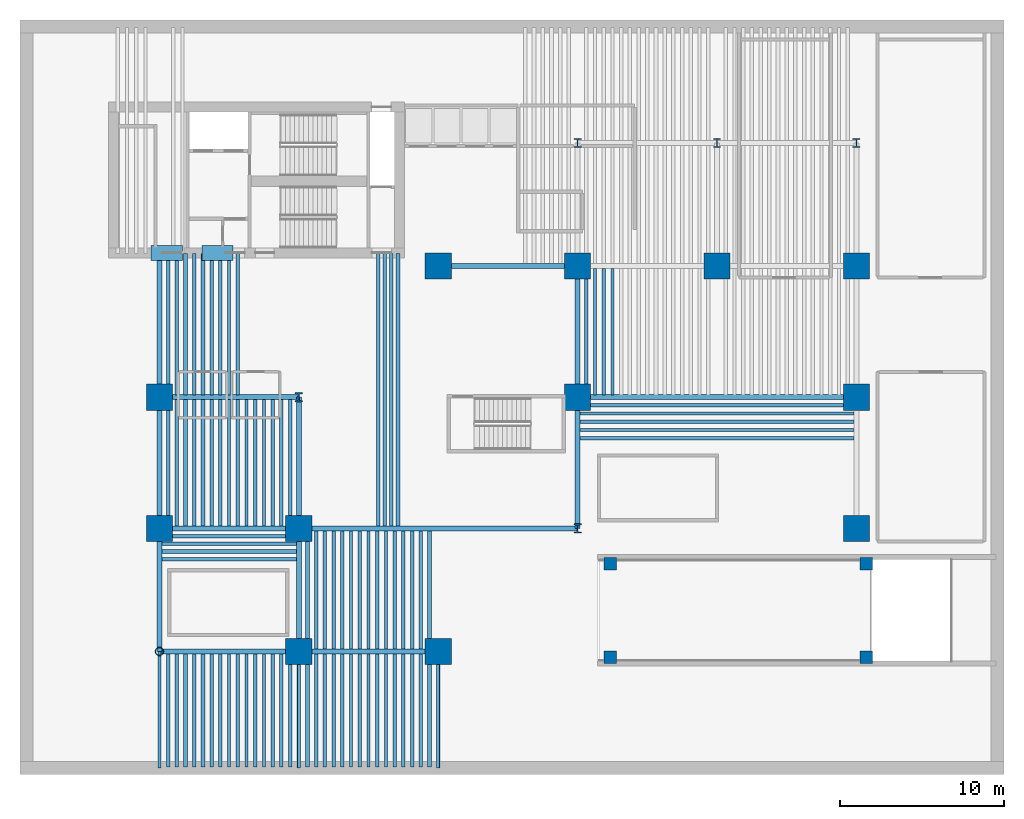
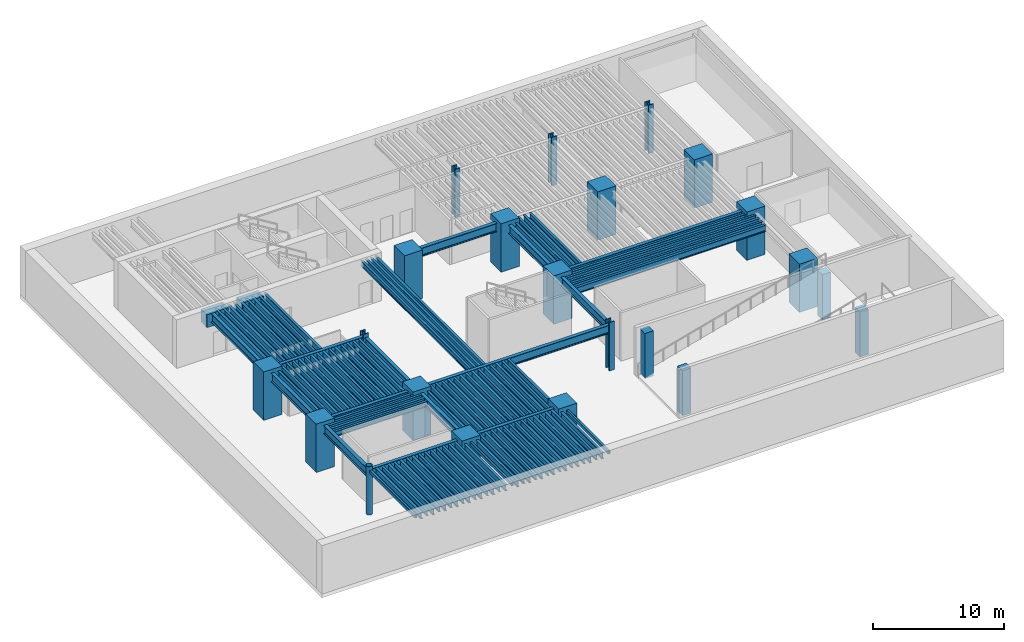
# One storey, part 1 of 10: 105 beams, 22 columns.
"""IFC4 building model written with IfcOpenShell, lengths in metres."""

from ifc_helpers import new_model, si_unit, direction, frame, origin, origin_2d, place, context, subcontext, project, spatial, rectangle, hollow_rectangle, hollow_circle, i_section, extrude, material, material_profile, profile_set, type_object, element, save


model = new_model("IFC4")

# Units and contexts
model_context = context("Model", 3, precision=1e-05, world=origin(), true_north=direction((0.0, 1.0)))
body_context = subcontext(model_context, "Body", "Model", "MODEL_VIEW")
ifc_project = project(units=[si_unit("LENGTHUNIT", "METRE"), si_unit("AREAUNIT", "SQUARE_METRE"), si_unit("VOLUMEUNIT", "CUBIC_METRE"), si_unit("PLANEANGLEUNIT", "RADIAN"), si_unit("MASSUNIT", "GRAM", prefix="KILO")], contexts=[model_context])

# Site, building, storey
site_placement = place(None, origin())
site = spatial("IfcSite", under=ifc_project, at=site_placement, CompositionType="ELEMENT")
building_placement = place(site_placement, origin())
building = spatial("IfcBuilding", under=site, at=building_placement, Name="Caeloran Harvest Quay", CompositionType="ELEMENT")
storey_placement = place(building_placement, frame((0.0, 0.0, -4.5)))
storey = spatial("IfcBuildingStorey", under=building, at=storey_placement, Name="B01", CompositionType="ELEMENT", Elevation=-4.5)

# Columns
ifc_material_1 = material(Name="Steel HISTAR 460", Category="steel")
ifc_material_profile_1 = material_profile(ifc_material_1, hollow_circle(Radius=0.25390625, WallThickness=0.02490234375, at=origin_2d()), Name="CHS 508x25")
ifc_profile_set_1 = profile_set([ifc_material_profile_1], Name="Steel HISTAR 460")
column_type_1 = type_object("IfcColumnType", Name="COL-CC-1-CHS_508x25", PredefinedType="COLUMN", material=ifc_profile_set_1)
column_placement = place(storey_placement, frame((8.5, 7.5, 0.0), z_axis=(0.0, 0.0, 1.0), x_axis=(1.0, 0.0, 0.0)))
element("IfcColumn", 1, at=column_placement, inside=storey, type_object=column_type_1, Name="B01 Structural Column (8.5, 7.5)", PredefinedType="COLUMN", context=body_context, shape_type="SweptSolid", body=[
    extrude(hollow_circle(Radius=0.25390625, WallThickness=0.02490234375, at=origin_2d()), origin(), (0.0, 0.0, 1.0), 4.5),
])
ifc_material_2 = material(Name="Concrete C80/95", Category="concrete")
ifc_material_profile_2 = material_profile(ifc_material_2, rectangle(XDim=1.60009765625, YDim=1.60009765625, at=origin_2d()), Name="RC 1600x1600")
ifc_profile_set_2 = profile_set([ifc_material_profile_2], Name="Concrete C80/95")
column_type_2 = type_object("IfcColumnType", Name="COL-MC-1-RC_1600x1600", PredefinedType="COLUMN", material=ifc_profile_set_2)
for number, where, z_axis, x_axis, name in (
    (2, (8.5, 15.0, 0.0), (0.0, 0.0, 1.0), (1.0, 0.0, 0.0), "B01 Structural Column (8.5, 15.0)"),
    (3, (8.5, 23.0, 0.0), (0.0, 0.0, 1.0), (1.0, 0.0, 0.0), "B01 Structural Column (8.5, 23.0)"),
    (4, (17.0, 7.5, 0.0), (0.0, 0.0, 1.0), (1.0, 0.0, 0.0), "B01 Structural Column (17.0, 7.5)"),
    (5, (17.0, 15.0, 0.0), (0.0, 0.0, 1.0), (1.0, 0.0, 0.0), "B01 Structural Column (17.0, 15.0)"),
    (6, (25.5, 7.5, 0.0), (0.0, 0.0, 1.0), (1.0, 0.0, 0.0), "B01 Structural Column (25.5, 7.5)"),
    (7, (25.5, 31.0, 0.0), (0.0, 0.0, 1.0), (1.0, 0.0, 0.0), "B01 Structural Column (25.5, 31.0)"),
    (8, (34.0, 23.0, 0.0), (0.0, 0.0, 1.0), (1.0, 0.0, 0.0), "B01 Structural Column (34.0, 23.0)"),
    (9, (34.0, 31.0, 0.0), (0.0, 0.0, 1.0), (1.0, 0.0, 0.0), "B01 Structural Column (34.0, 31.0)"),
    (10, (42.5, 31.0, 0.0), (0.0, 0.0, 1.0), (1.0, 0.0, 0.0), "B01 Structural Column (42.5, 31.0)"),
    (11, (51.0, 15.0, 0.0), (0.0, 0.0, 1.0), (1.0, 0.0, 0.0), "B01 Structural Column (51.0, 15.0)"),
    (12, (51.0, 23.0, 0.0), (0.0, 0.0, 1.0), (1.0, 0.0, 0.0), "B01 Structural Column (51.0, 23.0)"),
    (13, (51.0, 31.0, 0.0), (0.0, 0.0, 1.0), (1.0, 0.0, 0.0), "B01 Structural Column (51.0, 31.0)"),
):
    element("IfcColumn", number, at=place(storey_placement, frame(where, z_axis=z_axis, x_axis=x_axis)), inside=storey, type_object=column_type_2, Name=name, PredefinedType="COLUMN", context=body_context, shape_type="SweptSolid", body=[
        extrude(rectangle(XDim=1.60009765625, YDim=1.60009765625, at=origin_2d()), origin(), (0.0, 0.0, 1.0), 4.5),
    ])
ifc_material_3 = material(Name="Concrete C60/75", Category="concrete")
ifc_material_profile_3 = material_profile(ifc_material_3, rectangle(XDim=0.75, YDim=0.75, at=origin_2d()), Name="RC 750x750")
ifc_profile_set_3 = profile_set([ifc_material_profile_3], Name="Concrete C60/75")
column_type_3 = type_object("IfcColumnType", Name="COL-MC-5-RC_750x750", PredefinedType="COLUMN", material=ifc_profile_set_3)
for number, where, z_axis, x_axis, name in (
    (14, (36.0, 7.14990234375, 0.0), (0.0, 0.0, 1.0), (1.0, 0.0, 0.0), "B01 Vehicle Ramp Support Pier (36.0, 7.2)"),
    (15, (36.0, 12.85009765625, 0.0), (0.0, 0.0, 1.0), (1.0, 0.0, 0.0), "B01 Vehicle Ramp Support Pier (36.0, 12.8)"),
    (16, (51.60009765625, 7.14990234375, 0.0), (0.0, 0.0, 1.0), (1.0, 0.0, 0.0), "B01 Vehicle Ramp Support Pier (51.6, 7.2)"),
    (17, (51.60009765625, 12.85009765625, 0.0), (0.0, 0.0, 1.0), (1.0, 0.0, 0.0), "B01 Vehicle Ramp Support Pier (51.6, 12.8)"),
):
    element("IfcColumn", number, at=place(storey_placement, frame(where, z_axis=z_axis, x_axis=x_axis)), inside=storey, type_object=column_type_3, Name=name, PredefinedType="COLUMN", context=body_context, shape_type="SweptSolid", body=[
        extrude(rectangle(XDim=0.75, YDim=0.75, at=origin_2d()), origin(), (0.0, 0.0, 1.0), 4.199951171875),
    ])
ifc_material_profile_4 = material_profile(ifc_material_1, i_section(OverallWidth=0.4541015625, OverallDepth=0.569091796875, WebThickness=0.077880859375, FlangeThickness=0.080078125, FilletRadius=0.014892578125, at=origin_2d()), Name="HD 400x1086")
ifc_profile_set_4 = profile_set([ifc_material_profile_4], Name="Steel HISTAR 460")
column_type_4 = type_object("IfcColumnType", Name="COL-SC-1-HD_400x1086", PredefinedType="COLUMN", material=ifc_profile_set_4)
for number, where, z_axis, x_axis, name in (
    (18, (17.0, 23.0, 0.0), (0.0, 0.0, 1.0), (1.0, 0.0, 0.0), "B01 Structural Column (17.0, 23.0)"),
    (19, (34.0, 15.0, 0.0), (0.0, 0.0, 1.0), (1.0, 0.0, 0.0), "B01 Structural Column (34.0, 15.0)"),
    (20, (34.0, 38.5, 0.0), (0.0, 0.0, 1.0), (1.0, 0.0, 0.0), "B01 Structural Column (34.0, 38.5)"),
    (21, (42.5, 38.5, 0.0), (0.0, 0.0, 1.0), (1.0, 0.0, 0.0), "B01 Structural Column (42.5, 38.5)"),
    (22, (51.0, 38.5, 0.0), (0.0, 0.0, 1.0), (1.0, 0.0, 0.0), "B01 Structural Column (51.0, 38.5)"),
):
    element("IfcColumn", number, at=place(storey_placement, frame(where, z_axis=z_axis, x_axis=x_axis)), inside=storey, type_object=column_type_4, Name=name, PredefinedType="COLUMN", context=body_context, shape_type="SweptSolid", body=[
        extrude(i_section(OverallWidth=0.4541015625, OverallDepth=0.569091796875, WebThickness=0.077880859375, FlangeThickness=0.080078125, FilletRadius=0.014892578125, at=origin_2d()), origin(), (0.0, 0.0, 1.0), 4.5),
    ])

# Beams
ifc_material_profile_5 = material_profile(ifc_material_2, rectangle(XDim=0.89990234375, YDim=1.199951171875, at=origin_2d()), Name="RC 900x1200")
ifc_profile_set_5 = profile_set([ifc_material_profile_5], Name="Concrete C80/95")
beam_type_1 = type_object("IfcBeamType", Name="BM-CB-1-RC_900x1200", PredefinedType="LINTEL", material=ifc_profile_set_5)
for number, where, z_axis, x_axis, name in (
    (23, (8.0, 31.800048828125, 3.56494140625), (1.0, 0.0, 0.0), (0.0, 1.0, 0.0), "B01 Core Coupling Beam 1"),
    (24, (11.10009765625, 31.800048828125, 3.56494140625), (1.0, 0.0, 0.0), (0.0, 1.0, 0.0), "B01 Core Coupling Beam 2"),
):
    element("IfcBeam", number, at=place(storey_placement, frame(where, z_axis=z_axis, x_axis=x_axis)), inside=storey, type_object=beam_type_1, Name=name, PredefinedType="LINTEL", context=body_context, shape_type="SweptSolid", body=[
        extrude(rectangle(XDim=0.89990234375, YDim=1.199951171875, at=origin_2d()), origin(), (0.0, 0.0, 1.0), 1.89990234375),
    ])
ifc_material_4 = material(Name="Steel S355J2", Category="steel")
ifc_material_profile_6 = material_profile(ifc_material_4, i_section(OverallWidth=0.300048828125, OverallDepth=0.800048828125, WebThickness=0.017578125, FlangeThickness=0.032958984375, FilletRadius=0.030029296875, at=origin_2d()), Name="HE 800 B")
ifc_profile_set_6 = profile_set([ifc_material_profile_6], Name="Steel S355J2")
beam_type_2 = type_object("IfcBeamType", Name="BM-PG-1-HE_800_B", PredefinedType="BEAM", material=ifc_profile_set_6)
for number, where, z_axis, x_axis, name in (
    (25, (8.5, 7.5, 3.764892578125), (1.0, 0.0, 0.0), (0.0, 1.0, 0.0), "B01 Primary East-West Girder Y=7.5"),
    (26, (17.0, 7.5, 3.764892578125), (1.0, 0.0, 0.0), (0.0, 1.0, 0.0), "B01 Primary East-West Girder Y=7.5"),
    (27, (8.5, 15.0, 3.764892578125), (1.0, 0.0, 0.0), (0.0, 1.0, 0.0), "B01 Primary East-West Girder Y=15.0"),
):
    element("IfcBeam", number, at=place(storey_placement, frame(where, z_axis=z_axis, x_axis=x_axis)), inside=storey, type_object=beam_type_2, Name=name, PredefinedType="BEAM", context=body_context, shape_type="SweptSolid", body=[
        extrude(i_section(OverallWidth=0.300048828125, OverallDepth=0.800048828125, WebThickness=0.017578125, FlangeThickness=0.032958984375, FilletRadius=0.030029296875, at=origin_2d()), origin(), (0.0, 0.0, 1.0), 8.5),
    ])
beam_1_placement = place(storey_placement, frame((17.0, 15.0, 3.764892578125), z_axis=(1.0, 0.0, 0.0), x_axis=(0.0, 1.0, 0.0)))
element("IfcBeam", 28, at=beam_1_placement, inside=storey, type_object=beam_type_2, Name="B01 Primary East-West Girder Y=15.0", PredefinedType="BEAM", context=body_context, shape_type="SweptSolid", body=[
    extrude(i_section(OverallWidth=0.300048828125, OverallDepth=0.800048828125, WebThickness=0.017578125, FlangeThickness=0.032958984375, FilletRadius=0.030029296875, at=origin_2d()), origin(), (0.0, 0.0, 1.0), 17.0),
])
beam_2_placement = place(storey_placement, frame((8.5, 23.0, 3.764892578125), z_axis=(1.0, 0.0, 0.0), x_axis=(0.0, 1.0, 0.0)))
element("IfcBeam", 29, at=beam_2_placement, inside=storey, type_object=beam_type_2, Name="B01 Primary East-West Girder Y=23.0", PredefinedType="BEAM", context=body_context, shape_type="SweptSolid", body=[
    extrude(i_section(OverallWidth=0.300048828125, OverallDepth=0.800048828125, WebThickness=0.017578125, FlangeThickness=0.032958984375, FilletRadius=0.030029296875, at=origin_2d()), origin(), (0.0, 0.0, 1.0), 8.5),
])
beam_3_placement = place(storey_placement, frame((34.0, 23.0, 3.764892578125), z_axis=(1.0, 0.0, 0.0), x_axis=(0.0, 1.0, 0.0)))
element("IfcBeam", 30, at=beam_3_placement, inside=storey, type_object=beam_type_2, Name="B01 Primary East-West Girder Y=23.0", PredefinedType="BEAM", context=body_context, shape_type="SweptSolid", body=[
    extrude(i_section(OverallWidth=0.300048828125, OverallDepth=0.800048828125, WebThickness=0.017578125, FlangeThickness=0.032958984375, FilletRadius=0.030029296875, at=origin_2d()), origin(), (0.0, 0.0, 1.0), 17.0),
])
beam_4_placement = place(storey_placement, frame((25.5, 31.0, 3.764892578125), z_axis=(1.0, 0.0, 0.0), x_axis=(0.0, 1.0, 0.0)))
element("IfcBeam", 31, at=beam_4_placement, inside=storey, type_object=beam_type_2, Name="B01 Primary East-West Girder Y=31.0", PredefinedType="BEAM", context=body_context, shape_type="SweptSolid", body=[
    extrude(i_section(OverallWidth=0.300048828125, OverallDepth=0.800048828125, WebThickness=0.017578125, FlangeThickness=0.032958984375, FilletRadius=0.030029296875, at=origin_2d()), origin(), (0.0, 0.0, 1.0), 8.5),
])
beam_5_placement = place(storey_placement, frame((8.5, 7.5, 3.764892578125), z_axis=(0.0, 1.0, 0.0), x_axis=(-1.0, 0.0, 0.0)))
element("IfcBeam", 32, at=beam_5_placement, inside=storey, type_object=beam_type_2, Name="B01 Primary North-South Girder X=8.5", PredefinedType="BEAM", context=body_context, shape_type="SweptSolid", body=[
    extrude(i_section(OverallWidth=0.300048828125, OverallDepth=0.800048828125, WebThickness=0.017578125, FlangeThickness=0.032958984375, FilletRadius=0.030029296875, at=origin_2d()), origin(), (0.0, 0.0, 1.0), 7.5),
])
beam_6_placement = place(storey_placement, frame((8.5, 15.0, 3.764892578125), z_axis=(0.0, 1.0, 0.0), x_axis=(-1.0, 0.0, 0.0)))
element("IfcBeam", 33, at=beam_6_placement, inside=storey, type_object=beam_type_2, Name="B01 Primary North-South Girder X=8.5", PredefinedType="BEAM", context=body_context, shape_type="SweptSolid", body=[
    extrude(i_section(OverallWidth=0.300048828125, OverallDepth=0.800048828125, WebThickness=0.017578125, FlangeThickness=0.032958984375, FilletRadius=0.030029296875, at=origin_2d()), origin(), (0.0, 0.0, 1.0), 8.0),
])
beam_7_placement = place(storey_placement, frame((8.5, 23.0, 3.764892578125), z_axis=(0.0, 1.0, 0.0), x_axis=(-1.0, 0.0, 0.0)))
element("IfcBeam", 34, at=beam_7_placement, inside=storey, type_object=beam_type_2, Name="B01 Core South Tie Girder X=8.5", PredefinedType="BEAM", context=body_context, shape_type="SweptSolid", body=[
    extrude(i_section(OverallWidth=0.300048828125, OverallDepth=0.800048828125, WebThickness=0.017578125, FlangeThickness=0.032958984375, FilletRadius=0.030029296875, at=origin_2d()), origin(), (0.0, 0.0, 1.0), 8.75),
])
beam_8_placement = place(storey_placement, frame((17.0, 7.5, 3.764892578125), z_axis=(0.0, 1.0, 0.0), x_axis=(-1.0, 0.0, 0.0)))
element("IfcBeam", 35, at=beam_8_placement, inside=storey, type_object=beam_type_2, Name="B01 Primary North-South Girder X=17.0", PredefinedType="BEAM", context=body_context, shape_type="SweptSolid", body=[
    extrude(i_section(OverallWidth=0.300048828125, OverallDepth=0.800048828125, WebThickness=0.017578125, FlangeThickness=0.032958984375, FilletRadius=0.030029296875, at=origin_2d()), origin(), (0.0, 0.0, 1.0), 7.5),
])
for number, where, z_axis, x_axis, name in (
    (36, (17.0, 15.0, 3.764892578125), (0.0, 1.0, 0.0), (-1.0, 0.0, 0.0), "B01 Primary North-South Girder X=17.0"),
    (37, (34.0, 15.0, 3.764892578125), (0.0, 1.0, 0.0), (-1.0, 0.0, 0.0), "B01 Primary North-South Girder X=34.0"),
    (38, (34.0, 23.0, 3.764892578125), (0.0, 1.0, 0.0), (-1.0, 0.0, 0.0), "B01 Primary North-South Girder X=34.0"),
):
    element("IfcBeam", number, at=place(storey_placement, frame(where, z_axis=z_axis, x_axis=x_axis)), inside=storey, type_object=beam_type_2, Name=name, PredefinedType="BEAM", context=body_context, shape_type="SweptSolid", body=[
        extrude(i_section(OverallWidth=0.300048828125, OverallDepth=0.800048828125, WebThickness=0.017578125, FlangeThickness=0.032958984375, FilletRadius=0.030029296875, at=origin_2d()), origin(), (0.0, 0.0, 1.0), 8.0),
    ])
ifc_material_profile_7 = material_profile(ifc_material_4, i_section(OverallWidth=0.219970703125, OverallDepth=0.60009765625, WebThickness=0.011962890625, FlangeThickness=0.01904296875, FilletRadius=0.02392578125, at=origin_2d()), Name="IPE 600")
ifc_profile_set_7 = profile_set([ifc_material_profile_7], Name="Steel S355J2")
beam_type_3 = type_object("IfcBeamType", Name="BM-SB-1-IPE_600", PredefinedType="JOIST", material=ifc_profile_set_7)
for number, where, z_axis, x_axis, name in (
    (39, (9.03125, 0.449951171875, 3.864990234375), (0.0, 1.0, 0.0), (-1.0, 0.0, 0.0), "B01 Secondary Composite Joist"),
    (40, (10.09375, 0.449951171875, 3.864990234375), (0.0, 1.0, 0.0), (-1.0, 0.0, 0.0), "B01 Secondary Composite Joist"),
    (41, (11.15625, 0.449951171875, 3.864990234375), (0.0, 1.0, 0.0), (-1.0, 0.0, 0.0), "B01 Secondary Composite Joist"),
    (42, (12.21875, 0.449951171875, 3.864990234375), (0.0, 1.0, 0.0), (-1.0, 0.0, 0.0), "B01 Secondary Composite Joist"),
    (43, (13.28125, 0.449951171875, 3.864990234375), (0.0, 1.0, 0.0), (-1.0, 0.0, 0.0), "B01 Secondary Composite Joist"),
    (44, (14.34375, 0.449951171875, 3.864990234375), (0.0, 1.0, 0.0), (-1.0, 0.0, 0.0), "B01 Secondary Composite Joist"),
    (45, (15.40625, 0.449951171875, 3.864990234375), (0.0, 1.0, 0.0), (-1.0, 0.0, 0.0), "B01 Secondary Composite Joist"),
    (46, (16.46875, 0.449951171875, 3.864990234375), (0.0, 1.0, 0.0), (-1.0, 0.0, 0.0), "B01 Secondary Composite Joist"),
    (47, (17.53125, 0.449951171875, 3.864990234375), (0.0, 1.0, 0.0), (-1.0, 0.0, 0.0), "B01 Secondary Composite Joist"),
    (48, (18.59375, 0.449951171875, 3.864990234375), (0.0, 1.0, 0.0), (-1.0, 0.0, 0.0), "B01 Secondary Composite Joist"),
    (49, (19.65625, 0.449951171875, 3.864990234375), (0.0, 1.0, 0.0), (-1.0, 0.0, 0.0), "B01 Secondary Composite Joist"),
    (50, (20.71875, 0.449951171875, 3.864990234375), (0.0, 1.0, 0.0), (-1.0, 0.0, 0.0), "B01 Secondary Composite Joist"),
    (51, (21.78125, 0.449951171875, 3.864990234375), (0.0, 1.0, 0.0), (-1.0, 0.0, 0.0), "B01 Secondary Composite Joist"),
    (52, (22.84375, 0.449951171875, 3.864990234375), (0.0, 1.0, 0.0), (-1.0, 0.0, 0.0), "B01 Secondary Composite Joist"),
    (53, (23.90625, 0.449951171875, 3.864990234375), (0.0, 1.0, 0.0), (-1.0, 0.0, 0.0), "B01 Secondary Composite Joist"),
    (54, (24.96875, 0.449951171875, 3.864990234375), (0.0, 1.0, 0.0), (-1.0, 0.0, 0.0), "B01 Secondary Composite Joist"),
):
    element("IfcBeam", number, at=place(storey_placement, frame(where, z_axis=z_axis, x_axis=x_axis)), inside=storey, type_object=beam_type_3, Name=name, PredefinedType="JOIST", context=body_context, shape_type="SweptSolid", body=[
        extrude(i_section(OverallWidth=0.219970703125, OverallDepth=0.60009765625, WebThickness=0.011962890625, FlangeThickness=0.01904296875, FilletRadius=0.02392578125, at=origin_2d()), origin(), (0.0, 0.0, 1.0), 6.905029296875),
    ])
for number, where, z_axis, x_axis, name in (
    (55, (17.53125, 7.64501953125, 3.864990234375), (0.0, 1.0, 0.0), (-1.0, 0.0, 0.0), "B01 Secondary Composite Joist"),
    (56, (18.59375, 7.64501953125, 3.864990234375), (0.0, 1.0, 0.0), (-1.0, 0.0, 0.0), "B01 Secondary Composite Joist"),
    (57, (19.65625, 7.64501953125, 3.864990234375), (0.0, 1.0, 0.0), (-1.0, 0.0, 0.0), "B01 Secondary Composite Joist"),
    (58, (20.71875, 7.64501953125, 3.864990234375), (0.0, 1.0, 0.0), (-1.0, 0.0, 0.0), "B01 Secondary Composite Joist"),
    (59, (21.78125, 7.64501953125, 3.864990234375), (0.0, 1.0, 0.0), (-1.0, 0.0, 0.0), "B01 Secondary Composite Joist"),
    (60, (22.84375, 7.64501953125, 3.864990234375), (0.0, 1.0, 0.0), (-1.0, 0.0, 0.0), "B01 Secondary Composite Joist"),
    (61, (23.90625, 7.64501953125, 3.864990234375), (0.0, 1.0, 0.0), (-1.0, 0.0, 0.0), "B01 Secondary Composite Joist"),
    (62, (24.96875, 7.64501953125, 3.864990234375), (0.0, 1.0, 0.0), (-1.0, 0.0, 0.0), "B01 Secondary Composite Joist"),
):
    element("IfcBeam", number, at=place(storey_placement, frame(where, z_axis=z_axis, x_axis=x_axis)), inside=storey, type_object=beam_type_3, Name=name, PredefinedType="JOIST", context=body_context, shape_type="SweptSolid", body=[
        extrude(i_section(OverallWidth=0.219970703125, OverallDepth=0.60009765625, WebThickness=0.011962890625, FlangeThickness=0.01904296875, FilletRadius=0.02392578125, at=origin_2d()), origin(), (0.0, 0.0, 1.0), 7.2099609375),
    ])
for number, where, z_axis, x_axis, name in (
    (63, (9.03125, 15.14501953125, 3.864990234375), (0.0, 1.0, 0.0), (-1.0, 0.0, 0.0), "B01 Secondary Composite Joist"),
    (64, (10.09375, 15.14501953125, 3.864990234375), (0.0, 1.0, 0.0), (-1.0, 0.0, 0.0), "B01 Secondary Composite Joist"),
    (65, (11.15625, 15.14501953125, 3.864990234375), (0.0, 1.0, 0.0), (-1.0, 0.0, 0.0), "B01 Secondary Composite Joist"),
    (66, (12.21875, 15.14501953125, 3.864990234375), (0.0, 1.0, 0.0), (-1.0, 0.0, 0.0), "B01 Secondary Composite Joist"),
    (67, (13.28125, 15.14501953125, 3.864990234375), (0.0, 1.0, 0.0), (-1.0, 0.0, 0.0), "B01 Secondary Composite Joist"),
    (68, (14.34375, 15.14501953125, 3.864990234375), (0.0, 1.0, 0.0), (-1.0, 0.0, 0.0), "B01 Secondary Composite Joist"),
    (69, (15.40625, 15.14501953125, 3.864990234375), (0.0, 1.0, 0.0), (-1.0, 0.0, 0.0), "B01 Secondary Composite Joist"),
    (70, (16.46875, 15.14501953125, 3.864990234375), (0.0, 1.0, 0.0), (-1.0, 0.0, 0.0), "B01 Secondary Composite Joist"),
    (71, (34.53125, 23.14501953125, 3.864990234375), (0.0, 1.0, 0.0), (-1.0, 0.0, 0.0), "B01 Secondary Composite Joist"),
    (72, (35.59375, 23.14501953125, 3.864990234375), (0.0, 1.0, 0.0), (-1.0, 0.0, 0.0), "B01 Secondary Composite Joist"),
):
    element("IfcBeam", number, at=place(storey_placement, frame(where, z_axis=z_axis, x_axis=x_axis)), inside=storey, type_object=beam_type_3, Name=name, PredefinedType="JOIST", context=body_context, shape_type="SweptSolid", body=[
        extrude(i_section(OverallWidth=0.219970703125, OverallDepth=0.60009765625, WebThickness=0.011962890625, FlangeThickness=0.01904296875, FilletRadius=0.02392578125, at=origin_2d()), origin(), (0.0, 0.0, 1.0), 7.7099609375),
    ])
for number, where, z_axis, x_axis, name in (
    (73, (9.03125, 23.14501953125, 3.864990234375), (0.0, 1.0, 0.0), (-1.0, 0.0, 0.0), "B01 Secondary Composite Joist"),
    (74, (10.09375, 23.14501953125, 3.864990234375), (0.0, 1.0, 0.0), (-1.0, 0.0, 0.0), "B01 Secondary Composite Joist"),
    (75, (11.15625, 23.14501953125, 3.864990234375), (0.0, 1.0, 0.0), (-1.0, 0.0, 0.0), "B01 Secondary Composite Joist"),
    (76, (12.21875, 23.14501953125, 3.864990234375), (0.0, 1.0, 0.0), (-1.0, 0.0, 0.0), "B01 Secondary Composite Joist"),
    (77, (13.28125, 23.14501953125, 3.864990234375), (0.0, 1.0, 0.0), (-1.0, 0.0, 0.0), "B01 Secondary Composite Joist"),
):
    element("IfcBeam", number, at=place(storey_placement, frame(where, z_axis=z_axis, x_axis=x_axis)), inside=storey, type_object=beam_type_3, Name=name, PredefinedType="JOIST", context=body_context, shape_type="SweptSolid", body=[
        extrude(i_section(OverallWidth=0.219970703125, OverallDepth=0.60009765625, WebThickness=0.011962890625, FlangeThickness=0.01904296875, FilletRadius=0.02392578125, at=origin_2d()), origin(), (0.0, 0.0, 1.0), 8.60498046875),
    ])
for number, where, z_axis, x_axis, name in (
    (78, (22.240478515625, 15.14501953125, 3.864990234375), (0.0, 1.0, 0.0), (-1.0, 0.0, 0.0), "B01 Secondary Composite Joist"),
    (79, (23.046875, 15.14501953125, 3.864990234375), (0.0, 1.0, 0.0), (-1.0, 0.0, 0.0), "B01 Secondary Composite Joist"),
):
    element("IfcBeam", number, at=place(storey_placement, frame(where, z_axis=z_axis, x_axis=x_axis)), inside=storey, type_object=beam_type_3, Name=name, PredefinedType="JOIST", context=body_context, shape_type="SweptSolid", body=[
        extrude(i_section(OverallWidth=0.219970703125, OverallDepth=0.60009765625, WebThickness=0.011962890625, FlangeThickness=0.01904296875, FilletRadius=0.02392578125, at=origin_2d()), origin(), (0.0, 0.0, 1.0), 16.60498046875),
    ])
for number, where, z_axis, x_axis, name in (
    (80, (8.64501953125, 13.59375, 3.864990234375), (1.0, 0.0, 0.0), (0.0, 1.0, 0.0), "B01 Secondary East-West Composite Joist"),
    (81, (8.64501953125, 14.53125, 3.864990234375), (1.0, 0.0, 0.0), (0.0, 1.0, 0.0), "B01 Secondary East-West Composite Joist"),
):
    element("IfcBeam", number, at=place(storey_placement, frame(where, z_axis=z_axis, x_axis=x_axis)), inside=storey, type_object=beam_type_3, Name=name, PredefinedType="JOIST", context=body_context, shape_type="SweptSolid", body=[
        extrude(i_section(OverallWidth=0.219970703125, OverallDepth=0.60009765625, WebThickness=0.011962890625, FlangeThickness=0.01904296875, FilletRadius=0.02392578125, at=origin_2d()), origin(), (0.0, 0.0, 1.0), 8.2099609375),
    ])
for number, where, z_axis, x_axis, name in (
    (82, (34.14501953125, 20.5, 3.864990234375), (1.0, 0.0, 0.0), (0.0, 1.0, 0.0), "B01 Secondary East-West Composite Joist"),
    (83, (34.14501953125, 21.5, 3.864990234375), (1.0, 0.0, 0.0), (0.0, 1.0, 0.0), "B01 Secondary East-West Composite Joist"),
    (84, (34.14501953125, 22.5, 3.864990234375), (1.0, 0.0, 0.0), (0.0, 1.0, 0.0), "B01 Secondary East-West Composite Joist"),
):
    element("IfcBeam", number, at=place(storey_placement, frame(where, z_axis=z_axis, x_axis=x_axis)), inside=storey, type_object=beam_type_3, Name=name, PredefinedType="JOIST", context=body_context, shape_type="SweptSolid", body=[
        extrude(i_section(OverallWidth=0.219970703125, OverallDepth=0.60009765625, WebThickness=0.011962890625, FlangeThickness=0.01904296875, FilletRadius=0.02392578125, at=origin_2d()), origin(), (0.0, 0.0, 1.0), 16.7099609375),
    ])
ifc_material_profile_8 = material_profile(ifc_material_4, i_section(OverallWidth=0.199951171875, OverallDepth=0.5, WebThickness=0.01025390625, FlangeThickness=0.01611328125, FilletRadius=0.02099609375, at=origin_2d()), Name="IPE 500")
ifc_profile_set_8 = profile_set([ifc_material_profile_8], Name="Steel S355J2")
beam_type_4 = type_object("IfcBeamType", Name="BM-SB-2-IPE_500", PredefinedType="JOIST", material=ifc_profile_set_8)
for number, where, z_axis, x_axis, name in (
    (85, (9.5625, 0.449951171875, 3.9150390625), (0.0, 1.0, 0.0), (-1.0, 0.0, 0.0), "B01 Secondary Composite Joist"),
    (86, (10.625, 0.449951171875, 3.9150390625), (0.0, 1.0, 0.0), (-1.0, 0.0, 0.0), "B01 Secondary Composite Joist"),
    (87, (11.6875, 0.449951171875, 3.9150390625), (0.0, 1.0, 0.0), (-1.0, 0.0, 0.0), "B01 Secondary Composite Joist"),
    (88, (12.75, 0.449951171875, 3.9150390625), (0.0, 1.0, 0.0), (-1.0, 0.0, 0.0), "B01 Secondary Composite Joist"),
    (89, (13.8125, 0.449951171875, 3.9150390625), (0.0, 1.0, 0.0), (-1.0, 0.0, 0.0), "B01 Secondary Composite Joist"),
    (90, (14.875, 0.449951171875, 3.9150390625), (0.0, 1.0, 0.0), (-1.0, 0.0, 0.0), "B01 Secondary Composite Joist"),
    (91, (15.9375, 0.449951171875, 3.9150390625), (0.0, 1.0, 0.0), (-1.0, 0.0, 0.0), "B01 Secondary Composite Joist"),
    (92, (18.0625, 0.449951171875, 3.9150390625), (0.0, 1.0, 0.0), (-1.0, 0.0, 0.0), "B01 Secondary Composite Joist"),
    (93, (19.125, 0.449951171875, 3.9150390625), (0.0, 1.0, 0.0), (-1.0, 0.0, 0.0), "B01 Secondary Composite Joist"),
    (94, (20.1875, 0.449951171875, 3.9150390625), (0.0, 1.0, 0.0), (-1.0, 0.0, 0.0), "B01 Secondary Composite Joist"),
    (95, (21.25, 0.449951171875, 3.9150390625), (0.0, 1.0, 0.0), (-1.0, 0.0, 0.0), "B01 Secondary Composite Joist"),
    (96, (22.3125, 0.449951171875, 3.9150390625), (0.0, 1.0, 0.0), (-1.0, 0.0, 0.0), "B01 Secondary Composite Joist"),
    (97, (23.375, 0.449951171875, 3.9150390625), (0.0, 1.0, 0.0), (-1.0, 0.0, 0.0), "B01 Secondary Composite Joist"),
    (98, (24.4375, 0.449951171875, 3.9150390625), (0.0, 1.0, 0.0), (-1.0, 0.0, 0.0), "B01 Secondary Composite Joist"),
):
    element("IfcBeam", number, at=place(storey_placement, frame(where, z_axis=z_axis, x_axis=x_axis)), inside=storey, type_object=beam_type_4, Name=name, PredefinedType="JOIST", context=body_context, shape_type="SweptSolid", body=[
        extrude(i_section(OverallWidth=0.199951171875, OverallDepth=0.5, WebThickness=0.01025390625, FlangeThickness=0.01611328125, FilletRadius=0.02099609375, at=origin_2d()), origin(), (0.0, 0.0, 1.0), 6.905029296875),
    ])
for number, where, z_axis, x_axis, name in (
    (99, (18.0625, 7.64501953125, 3.9150390625), (0.0, 1.0, 0.0), (-1.0, 0.0, 0.0), "B01 Secondary Composite Joist"),
    (100, (19.125, 7.64501953125, 3.9150390625), (0.0, 1.0, 0.0), (-1.0, 0.0, 0.0), "B01 Secondary Composite Joist"),
    (101, (20.1875, 7.64501953125, 3.9150390625), (0.0, 1.0, 0.0), (-1.0, 0.0, 0.0), "B01 Secondary Composite Joist"),
    (102, (21.25, 7.64501953125, 3.9150390625), (0.0, 1.0, 0.0), (-1.0, 0.0, 0.0), "B01 Secondary Composite Joist"),
    (103, (22.3125, 7.64501953125, 3.9150390625), (0.0, 1.0, 0.0), (-1.0, 0.0, 0.0), "B01 Secondary Composite Joist"),
    (104, (23.375, 7.64501953125, 3.9150390625), (0.0, 1.0, 0.0), (-1.0, 0.0, 0.0), "B01 Secondary Composite Joist"),
    (105, (24.4375, 7.64501953125, 3.9150390625), (0.0, 1.0, 0.0), (-1.0, 0.0, 0.0), "B01 Secondary Composite Joist"),
):
    element("IfcBeam", number, at=place(storey_placement, frame(where, z_axis=z_axis, x_axis=x_axis)), inside=storey, type_object=beam_type_4, Name=name, PredefinedType="JOIST", context=body_context, shape_type="SweptSolid", body=[
        extrude(i_section(OverallWidth=0.199951171875, OverallDepth=0.5, WebThickness=0.01025390625, FlangeThickness=0.01611328125, FilletRadius=0.02099609375, at=origin_2d()), origin(), (0.0, 0.0, 1.0), 7.2099609375),
    ])
for number, where, z_axis, x_axis, name in (
    (106, (9.5625, 15.14501953125, 3.9150390625), (0.0, 1.0, 0.0), (-1.0, 0.0, 0.0), "B01 Secondary Composite Joist"),
    (107, (10.625, 15.14501953125, 3.9150390625), (0.0, 1.0, 0.0), (-1.0, 0.0, 0.0), "B01 Secondary Composite Joist"),
    (108, (11.6875, 15.14501953125, 3.9150390625), (0.0, 1.0, 0.0), (-1.0, 0.0, 0.0), "B01 Secondary Composite Joist"),
    (109, (12.75, 15.14501953125, 3.9150390625), (0.0, 1.0, 0.0), (-1.0, 0.0, 0.0), "B01 Secondary Composite Joist"),
    (110, (13.8125, 15.14501953125, 3.9150390625), (0.0, 1.0, 0.0), (-1.0, 0.0, 0.0), "B01 Secondary Composite Joist"),
    (111, (14.875, 15.14501953125, 3.9150390625), (0.0, 1.0, 0.0), (-1.0, 0.0, 0.0), "B01 Secondary Composite Joist"),
    (112, (15.9375, 15.14501953125, 3.9150390625), (0.0, 1.0, 0.0), (-1.0, 0.0, 0.0), "B01 Secondary Composite Joist"),
    (113, (35.0625, 23.14501953125, 3.9150390625), (0.0, 1.0, 0.0), (-1.0, 0.0, 0.0), "B01 Secondary Composite Joist"),
    (114, (36.125, 23.14501953125, 3.9150390625), (0.0, 1.0, 0.0), (-1.0, 0.0, 0.0), "B01 Secondary Composite Joist"),
):
    element("IfcBeam", number, at=place(storey_placement, frame(where, z_axis=z_axis, x_axis=x_axis)), inside=storey, type_object=beam_type_4, Name=name, PredefinedType="JOIST", context=body_context, shape_type="SweptSolid", body=[
        extrude(i_section(OverallWidth=0.199951171875, OverallDepth=0.5, WebThickness=0.01025390625, FlangeThickness=0.01611328125, FilletRadius=0.02099609375, at=origin_2d()), origin(), (0.0, 0.0, 1.0), 7.7099609375),
    ])
for number, where, z_axis, x_axis, name in (
    (115, (9.5625, 23.14501953125, 3.9150390625), (0.0, 1.0, 0.0), (-1.0, 0.0, 0.0), "B01 Secondary Composite Joist"),
    (116, (10.625, 23.14501953125, 3.9150390625), (0.0, 1.0, 0.0), (-1.0, 0.0, 0.0), "B01 Secondary Composite Joist"),
    (117, (11.6875, 23.14501953125, 3.9150390625), (0.0, 1.0, 0.0), (-1.0, 0.0, 0.0), "B01 Secondary Composite Joist"),
    (118, (12.75, 23.14501953125, 3.9150390625), (0.0, 1.0, 0.0), (-1.0, 0.0, 0.0), "B01 Secondary Composite Joist"),
):
    element("IfcBeam", number, at=place(storey_placement, frame(where, z_axis=z_axis, x_axis=x_axis)), inside=storey, type_object=beam_type_4, Name=name, PredefinedType="JOIST", context=body_context, shape_type="SweptSolid", body=[
        extrude(i_section(OverallWidth=0.199951171875, OverallDepth=0.5, WebThickness=0.01025390625, FlangeThickness=0.01611328125, FilletRadius=0.02099609375, at=origin_2d()), origin(), (0.0, 0.0, 1.0), 8.60498046875),
    ])
for number, where, z_axis, x_axis, name in (
    (119, (21.83740234375, 15.14501953125, 3.9150390625), (0.0, 1.0, 0.0), (-1.0, 0.0, 0.0), "B01 Secondary Composite Joist"),
    (120, (22.643798828125, 15.14501953125, 3.9150390625), (0.0, 1.0, 0.0), (-1.0, 0.0, 0.0), "B01 Secondary Composite Joist"),
):
    element("IfcBeam", number, at=place(storey_placement, frame(where, z_axis=z_axis, x_axis=x_axis)), inside=storey, type_object=beam_type_4, Name=name, PredefinedType="JOIST", context=body_context, shape_type="SweptSolid", body=[
        extrude(i_section(OverallWidth=0.199951171875, OverallDepth=0.5, WebThickness=0.01025390625, FlangeThickness=0.01611328125, FilletRadius=0.02099609375, at=origin_2d()), origin(), (0.0, 0.0, 1.0), 16.60498046875),
    ])
for number, where, z_axis, x_axis, name in (
    (121, (8.64501953125, 13.125, 3.9150390625), (1.0, 0.0, 0.0), (0.0, 1.0, 0.0), "B01 Secondary East-West Composite Joist"),
    (122, (8.64501953125, 14.0625, 3.9150390625), (1.0, 0.0, 0.0), (0.0, 1.0, 0.0), "B01 Secondary East-West Composite Joist"),
):
    element("IfcBeam", number, at=place(storey_placement, frame(where, z_axis=z_axis, x_axis=x_axis)), inside=storey, type_object=beam_type_4, Name=name, PredefinedType="JOIST", context=body_context, shape_type="SweptSolid", body=[
        extrude(i_section(OverallWidth=0.199951171875, OverallDepth=0.5, WebThickness=0.01025390625, FlangeThickness=0.01611328125, FilletRadius=0.02099609375, at=origin_2d()), origin(), (0.0, 0.0, 1.0), 8.2099609375),
    ])
for number, where, z_axis, x_axis, name in (
    (123, (34.14501953125, 21.0, 3.9150390625), (1.0, 0.0, 0.0), (0.0, 1.0, 0.0), "B01 Secondary East-West Composite Joist"),
    (124, (34.14501953125, 22.0, 3.9150390625), (1.0, 0.0, 0.0), (0.0, 1.0, 0.0), "B01 Secondary East-West Composite Joist"),
):
    element("IfcBeam", number, at=place(storey_placement, frame(where, z_axis=z_axis, x_axis=x_axis)), inside=storey, type_object=beam_type_4, Name=name, PredefinedType="JOIST", context=body_context, shape_type="SweptSolid", body=[
        extrude(i_section(OverallWidth=0.199951171875, OverallDepth=0.5, WebThickness=0.01025390625, FlangeThickness=0.01611328125, FilletRadius=0.02099609375, at=origin_2d()), origin(), (0.0, 0.0, 1.0), 16.7099609375),
    ])
ifc_material_profile_9 = material_profile(ifc_material_4, hollow_rectangle(XDim=0.199951171875, YDim=0.300048828125, WallThickness=0.012451171875, InnerFilletRadius=0.012451171875, OuterFilletRadius=0.018798828125, at=origin_2d()), Name="RHS 300x200x12.5")
ifc_profile_set_9 = profile_set([ifc_material_profile_9], Name="Steel S355J2")
beam_type_5 = type_object("IfcBeamType", Name="BM-SP-2-RHS_300x200x12.5", PredefinedType="SPANDREL", material=ifc_profile_set_9)
for number, where, z_axis, x_axis, name in (
    (125, (8.5, 0.39990234375, 4.014892578125), (0.0, 1.0, 0.0), (-1.0, 0.0, 0.0), "B01 Diaphragm Tie Spandrel Beam X=8.5"),
    (126, (17.0, 0.39990234375, 4.014892578125), (0.0, 1.0, 0.0), (-1.0, 0.0, 0.0), "B01 Diaphragm Tie Spandrel Beam X=17.0"),
    (127, (25.5, 0.39990234375, 4.014892578125), (0.0, 1.0, 0.0), (-1.0, 0.0, 0.0), "B01 Diaphragm Tie Spandrel Beam X=25.5"),
):
    element("IfcBeam", number, at=place(storey_placement, frame(where, z_axis=z_axis, x_axis=x_axis)), inside=storey, type_object=beam_type_5, Name=name, PredefinedType="SPANDREL", context=body_context, shape_type="SweptSolid", body=[
        extrude(hollow_rectangle(XDim=0.199951171875, YDim=0.300048828125, WallThickness=0.012451171875, InnerFilletRadius=0.012451171875, OuterFilletRadius=0.018798828125, at=origin_2d()), origin(), (0.0, 0.0, 1.0), 7.10009765625),
    ])

save(model, "model.ifc")
